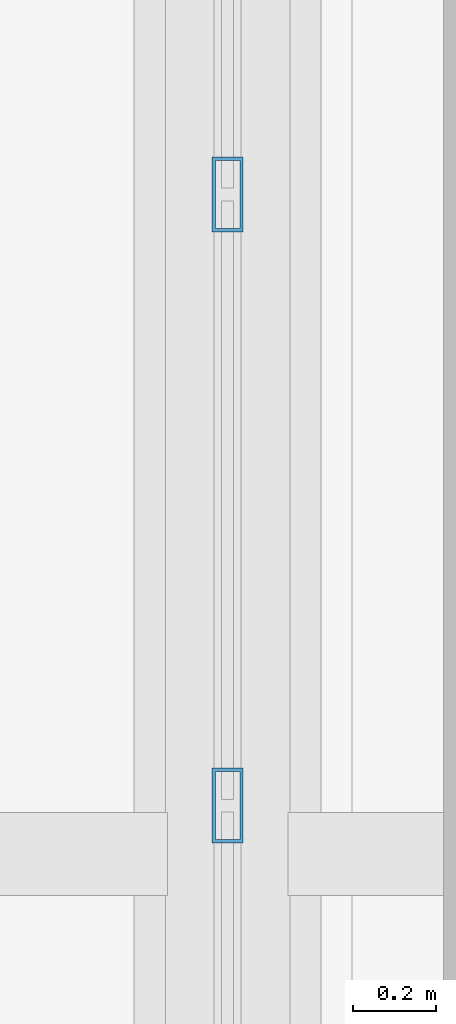
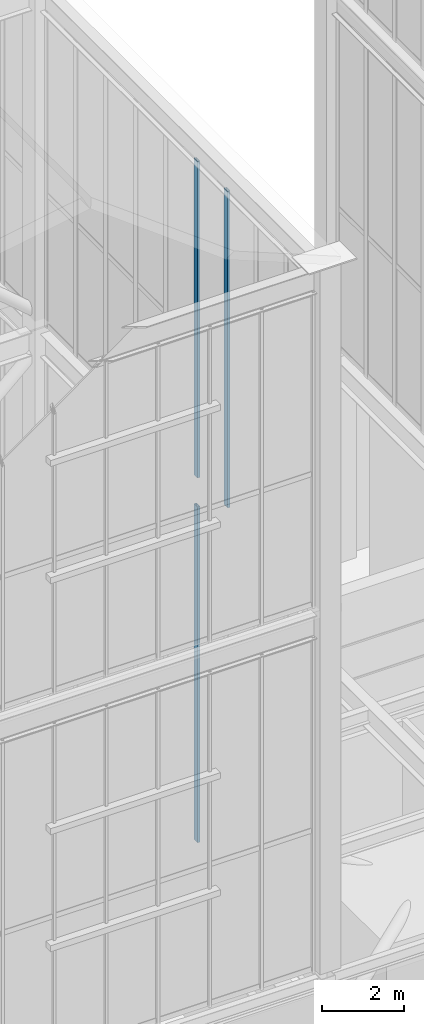
# One storey, part 13 of 135: 3 members, 2 elements without a shape of their own.
"""IFC4 building model written with IfcOpenShell, lengths in metres."""

import ifcopenshell
import ifcopenshell.guid

model = None  # the IFC model being written
_history = None  # IfcOwnerHistory: only IFC2X3 demands one
_inside = {}  # id of a spatial element -> (the spatial element, [elements in it])
_under = {}  # id of a project, library or spatial element -> (it, [spatial elements below it])
_declared = {}  # id of a project -> (the project, [libraries it declares])
_typed = {}  # id of a type object -> (the type object, [elements of that type])
_made_of = {}  # id of a material, layer set ... -> (it, [elements and type objects made of it])


def new_model(schema):
    """Start an empty IFC model of exactly this schema.

    Asked for "IFC4X3", IfcOpenShell would pick the latest addendum, in which some entities
    have other attributes; the version numbers below select the first issue.
    IFC2X3 requires an IfcOwnerHistory on every rooted entity: one is made here for all.
    """
    global model, _history
    if schema == "IFC4X3":
        model = ifcopenshell.file(schema_version=(4, 3, 0, 0))
    else:
        model = ifcopenshell.file(schema=schema)
    _inside.clear()
    _under.clear()
    _declared.clear()
    _typed.clear()
    _made_of.clear()
    _history = None
    if model.schema == "IFC2X3":
        org = make("IfcOrganization", Name="unknown")
        user = make(
            "IfcPersonAndOrganization",
            ThePerson=make("IfcPerson", FamilyName="unknown"),
            TheOrganization=org,
        )
        app = make(
            "IfcApplication",
            ApplicationDeveloper=org,
            Version="unknown",
            ApplicationFullName="unknown",
            ApplicationIdentifier="unknown",
        )
        _history = make(
            "IfcOwnerHistory",
            OwningUser=user,
            OwningApplication=app,
            ChangeAction="ADDED",
            CreationDate=0,
        )
    return model


def make(cls, **values):
    """One entity of the class cls with the attributes given. An attribute that is None is left unset."""
    return model.create_entity(
        cls, **{name: value for name, value in values.items() if value is not None}
    )


def rooted(cls, **values):
    """An entity with a GlobalId (a new one), such as an element, a storey or a relation."""
    return make(cls, GlobalId=ifcopenshell.guid.new(), OwnerHistory=_history, **values)


def si_unit(unit_type, name, prefix=None):
    """IfcSIUnit, for example si_unit("LENGTHUNIT", "METRE", prefix="MILLI")."""
    return make("IfcSIUnit", UnitType=unit_type, Prefix=prefix, Name=name)


def assignment(units):
    """IfcUnitAssignment: the units of a project."""
    return None if units is None else make("IfcUnitAssignment", Units=units)


def point(xyz):
    """IfcCartesianPoint."""
    return None if xyz is None else make("IfcCartesianPoint", Coordinates=xyz)


def direction(xyz):
    """IfcDirection."""
    return None if xyz is None else make("IfcDirection", DirectionRatios=xyz)


def frame(location, z_axis=None, x_axis=None):
    """IfcAxis2Placement3D, a coordinate frame: its origin and axes. An axis left out is left unset."""
    return make(
        "IfcAxis2Placement3D",
        Location=point(location),
        Axis=direction(z_axis),
        RefDirection=direction(x_axis),
    )


def frame_2d(location, x_axis=None):
    """IfcAxis2Placement2D, a coordinate frame in the plane: its origin and x axis."""
    return make(
        "IfcAxis2Placement2D", Location=point(location), RefDirection=direction(x_axis)
    )


def origin():
    """The frame at (0, 0, 0) with its axes left unset."""
    return frame((0.0, 0.0, 0.0))


def origin_2d():
    """The frame at (0, 0) in the plane with its x axis left unset."""
    return frame_2d((0.0, 0.0))


def place(relative_to, where):
    """IfcLocalPlacement: puts the frame where relative to a parent placement (None: the world)."""
    return make(
        "IfcLocalPlacement", PlacementRelTo=relative_to, RelativePlacement=where
    )


def context(
    kind, dimensions, precision=None, world=None, true_north=None, identifier=None
):
    """IfcGeometricRepresentationContext, for example the 3D "Model" context."""
    return make(
        "IfcGeometricRepresentationContext",
        ContextIdentifier=identifier,
        ContextType=kind,
        CoordinateSpaceDimension=dimensions,
        Precision=precision,
        WorldCoordinateSystem=world,
        TrueNorth=true_north,
    )


def subcontext(parent, identifier, kind, view, scale=None):
    """IfcGeometricRepresentationSubContext, for example "Body" below "Model"."""
    return make(
        "IfcGeometricRepresentationSubContext",
        ContextIdentifier=identifier,
        ContextType=kind,
        ParentContext=parent,
        TargetScale=scale,
        TargetView=view,
    )


def project(units=None, contexts=None):
    """IfcProject with its units and contexts."""
    return rooted(
        "IfcProject",
        Name="project",
        RepresentationContexts=contexts,
        UnitsInContext=assignment(units),
    )


def spatial(cls, under=None, at=None, **own):
    """A site, building, storey or space (cls), placed at a placement, below another one or the project."""
    s = rooted(cls, ObjectPlacement=at, **own)
    if under is not None:
        _under.setdefault(under.id(), (under, []))[1].append(s)
    return s


def profile(cls, at=None, kind="AREA", **sizes):
    """A parametric profile (cls). Its sizes go by their IFC names, for example OverallWidth=200.0."""
    return make(cls, ProfileType=kind, Position=at, **sizes)


def hollow_rectangle(**sizes):
    """IfcRectangleHollowProfileDef."""
    return profile("IfcRectangleHollowProfileDef", **sizes)


def extrude(swept, where, along, depth):
    """IfcExtrudedAreaSolid: the profile swept, set in the frame where, extruded along a direction by depth."""
    return make(
        "IfcExtrudedAreaSolid",
        SweptArea=swept,
        Position=where,
        ExtrudedDirection=direction(along),
        Depth=depth,
    )


def shape(context_of_items, identifier, shape_type, items):
    """IfcShapeRepresentation: the items that make up one representation, for example the "Body"."""
    return make(
        "IfcShapeRepresentation",
        ContextOfItems=context_of_items,
        RepresentationIdentifier=identifier,
        RepresentationType=shape_type,
        Items=items,
    )


def source(mapping_origin, context_of_items, identifier, shape_type, items):
    """IfcRepresentationMap: a shape defined once, which mapped items show again and again."""
    return make(
        "IfcRepresentationMap",
        MappingOrigin=mapping_origin,
        MappedRepresentation=shape(context_of_items, identifier, shape_type, items),
    )


def transform(
    local_origin,
    x_axis=None,
    y_axis=None,
    z_axis=None,
    scale=None,
    scale2=None,
    scale3=None,
    uniform=True,
):
    """IfcCartesianTransformationOperator3D, or its non-uniform kind. x_axis, y_axis, z_axis: its Axis1, 2, 3."""
    if uniform:
        return make(
            "IfcCartesianTransformationOperator3D",
            Axis1=direction(x_axis),
            Axis2=direction(y_axis),
            LocalOrigin=point(local_origin),
            Scale=scale,
            Axis3=direction(z_axis),
        )
    return make(
        "IfcCartesianTransformationOperator3DnonUniform",
        Axis1=direction(x_axis),
        Axis2=direction(y_axis),
        LocalOrigin=point(local_origin),
        Scale=scale,
        Axis3=direction(z_axis),
        Scale2=scale2,
        Scale3=scale3,
    )


def mapped(mapping_source, mapping_target):
    """IfcMappedItem: shows the shape of a source again, moved by a transform."""
    return make(
        "IfcMappedItem", MappingSource=mapping_source, MappingTarget=mapping_target
    )


def material(Name=None, Category=None):
    """IfcMaterial."""
    return make("IfcMaterial", Name=Name, Category=Category)


def layer(
    of_material, thickness, ventilated=None, Name=None, Category=None, Priority=None
):
    """IfcMaterialLayer: one layer of a wall or slab, of a material (None: an air gap)."""
    return make(
        "IfcMaterialLayer",
        Material=of_material,
        LayerThickness=thickness,
        IsVentilated=ventilated,
        Name=Name,
        Category=Category,
        Priority=Priority,
    )


def layer_set(layers, Name=None):
    """IfcMaterialLayerSet."""
    return make("IfcMaterialLayerSet", MaterialLayers=layers, LayerSetName=Name)


def material_profile(
    of_material, cross_section, Name=None, Category=None, Priority=None
):
    """IfcMaterialProfile: a cross section and its material."""
    return make(
        "IfcMaterialProfile",
        Name=Name,
        Material=of_material,
        Profile=cross_section,
        Priority=Priority,
        Category=Category,
    )


def profile_set(profiles, Name=None, composite=None):
    """IfcMaterialProfileSet."""
    return make(
        "IfcMaterialProfileSet",
        Name=Name,
        MaterialProfiles=profiles,
        CompositeProfile=composite,
    )


def made_of(thing, what):
    """Note that an element or type object is made of a material, layer set ...; save() writes the relation."""
    if what is not None:
        _made_of.setdefault(what.id(), (what, []))[1].append(thing)
    return thing


def type_object(cls, material=None, **own):
    """A type object (cls), such as IfcWallType, which elements share."""
    return made_of(rooted(cls, **own), material)


def element(
    cls,
    number,
    at=None,
    inside=None,
    cuts=None,
    type_object=None,
    material=None,
    context=None,
    identifier="Body",
    shape_type=None,
    held_by="IfcProductDefinitionShape",
    body=None,
    shapes=None,
    **own,
):
    """One element of the class cls, such as IfcWall. Its Tag is "e" and its number.

    at: its placement. inside: the storey or other place that contains it. cuts: it is an
    opening in that element (IfcRelVoidsElement). A single representation is given by context,
    identifier, shape_type and body (its items); several are given by shapes. held_by: the class
    of the entity that holds the representations. save() writes the other relations.
    """
    e = rooted(cls, Tag="e%d" % number, ObjectPlacement=at, **own)
    if body is not None:
        shapes = [shape(context, identifier, shape_type, body)]
    if shapes is not None:
        e.Representation = make(held_by, Representations=shapes)
    if inside is not None:
        _inside.setdefault(inside.id(), (inside, []))[1].append(e)
    if cuts is not None:
        rooted(
            "IfcRelVoidsElement", RelatingBuildingElement=cuts, RelatedOpeningElement=e
        )
    if type_object is not None:
        _typed.setdefault(type_object.id(), (type_object, []))[1].append(e)
    return made_of(e, material)


def aggregate(whole, parts):
    """IfcRelAggregates: a whole, such as a stair, and the parts it consists of."""
    return rooted("IfcRelAggregates", RelatingObject=whole, RelatedObjects=parts)


def save(model, path):
    """Write the relations noted so far, then the file.

    IfcRelAggregates (storeys below a building ...), IfcRelContainedInSpatialStructure (elements
    in a storey), IfcRelDefinesByType, IfcRelAssociatesMaterial and IfcRelDeclares: one each for
    every whole, place, type object, material and project.
    """
    for whole, parts in _under.values():
        aggregate(whole, parts)
    for where, things in _inside.values():
        rooted(
            "IfcRelContainedInSpatialStructure",
            RelatedElements=things,
            RelatingStructure=where,
        )
    for kind, things in _typed.values():
        rooted("IfcRelDefinesByType", RelatedObjects=things, RelatingType=kind)
    for what, things in _made_of.values():
        rooted("IfcRelAssociatesMaterial", RelatedObjects=things, RelatingMaterial=what)
    for by, libraries in _declared.values():
        rooted("IfcRelDeclares", RelatingContext=by, RelatedDefinitions=libraries)
    model.write(path)


model = new_model("IFC4")

# Units and contexts
model_context = context("Model", 3, precision=1e-05, world=origin(), true_north=direction((0.0, 1.0)))
body_context = subcontext(model_context, "Body", "Model", "MODEL_VIEW")
ifc_project = project(units=[si_unit("LENGTHUNIT", "METRE"), si_unit("AREAUNIT", "SQUARE_METRE"), si_unit("VOLUMEUNIT", "CUBIC_METRE"), si_unit("PLANEANGLEUNIT", "RADIAN"), si_unit("MASSUNIT", "GRAM", prefix="KILO")], contexts=[model_context])

# Site, building, storey
site_placement = place(None, origin())
site = spatial("IfcSite", under=ifc_project, at=site_placement, CompositionType="ELEMENT")
building_placement = place(site_placement, origin())
building = spatial("IfcBuilding", under=site, at=building_placement, Name="Giltprow Tower", CompositionType="ELEMENT")
storey_placement = place(building_placement, frame((0.0, 0.0, 352.699951171875)))
storey = spatial("IfcBuildingStorey", under=building, at=storey_placement, Name="L92", CompositionType="ELEMENT", Elevation=352.699951171875)

# Curtain wall, member
ifc_material = material(Name="Anodized bronze", Category="metal")
ifc_layer = layer(ifc_material, 0.179931640625, Name="Anodized bronze")
ifc_layer_set = layer_set([ifc_layer], Name="Anodized bronze")
curtain_wall_type = type_object("IfcCurtainWallType", Name="CW-CROWN-LANTERN", PredefinedType="NOTDEFINED", material=ifc_layer_set)
curtain_wall_1_placement = place(storey_placement, origin())
curtain_wall_1 = element("IfcCurtainWall", 1, at=curtain_wall_1_placement, inside=storey, type_object=curtain_wall_type, Name="Crown West Lower Lantern Glazing 2", PredefinedType="NOTDEFINED")
ifc_material_profile = material_profile(ifc_material, hollow_rectangle(XDim=0.074951171875, YDim=0.179931640625, WallThickness=0.008056640625, at=origin_2d()), Name="RHS 180x75x8")
ifc_profile_set = profile_set([ifc_material_profile], Name="Anodized bronze")
member_type = type_object("IfcMemberType", Name="CW-MULLION-180x75", PredefinedType="MULLION", material=ifc_profile_set)
shared_shape_1 = source(origin(), body_context, "Body", "SweptSolid", [
    extrude(hollow_rectangle(XDim=0.074951171875, YDim=0.179931640625, WallThickness=0.008056640625, at=origin_2d()), origin(), (0.0, 0.0, 1.0), 10.030029296875),
])
member_1_placement = place(storey_placement, frame((30.800048828125, 29.739013671875, 6.35009765625), z_axis=(0.0, 0.0, 1.0), x_axis=(1.0, 0.0, 0.0)))
member_1 = element("IfcMember", 2, at=member_1_placement, type_object=member_type, Name="Crown West Lower Lantern Glazing 2 Mullion 5", PredefinedType="MULLION", context=body_context, shape_type="MappedRepresentation", body=[
    mapped(shared_shape_1, transform((0.0, 0.0, 0.0), x_axis=(1.0, 0.0, 0.0), y_axis=(0.0, 1.0, 0.0), z_axis=(0.0, 0.0, 1.0), scale=1.0)),
])
aggregate(curtain_wall_1, [member_1])

# Curtain wall, members
curtain_wall_2_placement = place(storey_placement, origin())
curtain_wall_2 = element("IfcCurtainWall", 3, at=curtain_wall_2_placement, inside=storey, type_object=curtain_wall_type, Name="Crown West Upper Lantern Glazing 2", PredefinedType="NOTDEFINED")
shared_shape_2 = source(origin(), body_context, "Body", "SweptSolid", [
    extrude(hollow_rectangle(XDim=0.074951171875, YDim=0.179931640625, WallThickness=0.008056640625, at=origin_2d()), origin(), (0.0, 0.0, 1.0), 9.45703125),
])
member_2_placement = place(storey_placement, frame((30.800048828125, 28.26708984375, 17.25), z_axis=(0.0, 0.0, 1.0), x_axis=(1.0, 0.0, 0.0)))
member_2 = element("IfcMember", 4, at=member_2_placement, type_object=member_type, Name="Crown West Upper Lantern Glazing 2 Mullion 4", PredefinedType="MULLION", context=body_context, shape_type="MappedRepresentation", body=[
    mapped(shared_shape_2, transform((0.0, 0.0, 0.0), x_axis=(1.0, 0.0, 0.0), y_axis=(0.0, 1.0, 0.0), z_axis=(0.0, 0.0, 1.0), scale=1.0)),
])
member_3_placement = place(storey_placement, frame((30.800048828125, 29.739013671875, 17.25), z_axis=(0.0, 0.0, 1.0), x_axis=(1.0, 0.0, 0.0)))
member_3 = element("IfcMember", 5, at=member_3_placement, type_object=member_type, Name="Crown West Upper Lantern Glazing 2 Mullion 5", PredefinedType="MULLION", context=body_context, shape_type="MappedRepresentation", body=[
    mapped(shared_shape_2, transform((0.0, 0.0, 0.0), x_axis=(1.0, 0.0, 0.0), y_axis=(0.0, 1.0, 0.0), z_axis=(0.0, 0.0, 1.0), scale=1.0)),
])
aggregate(curtain_wall_2, [member_2, member_3])

save(model, "model.ifc")
